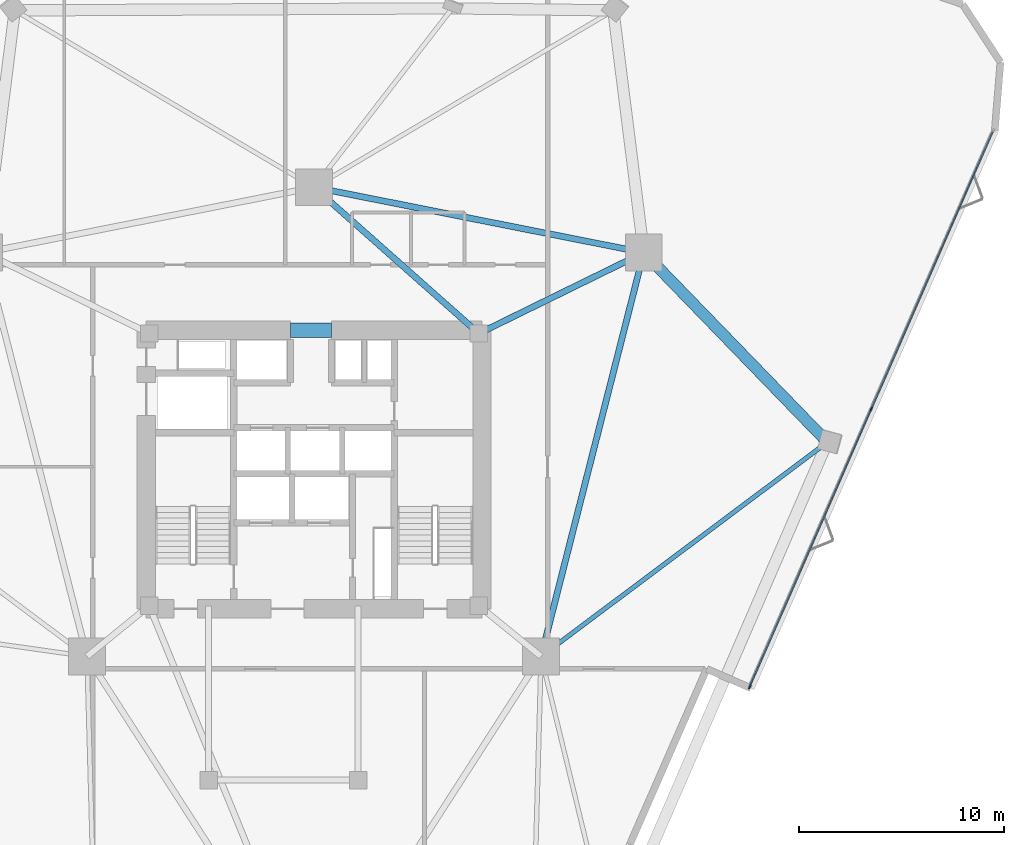
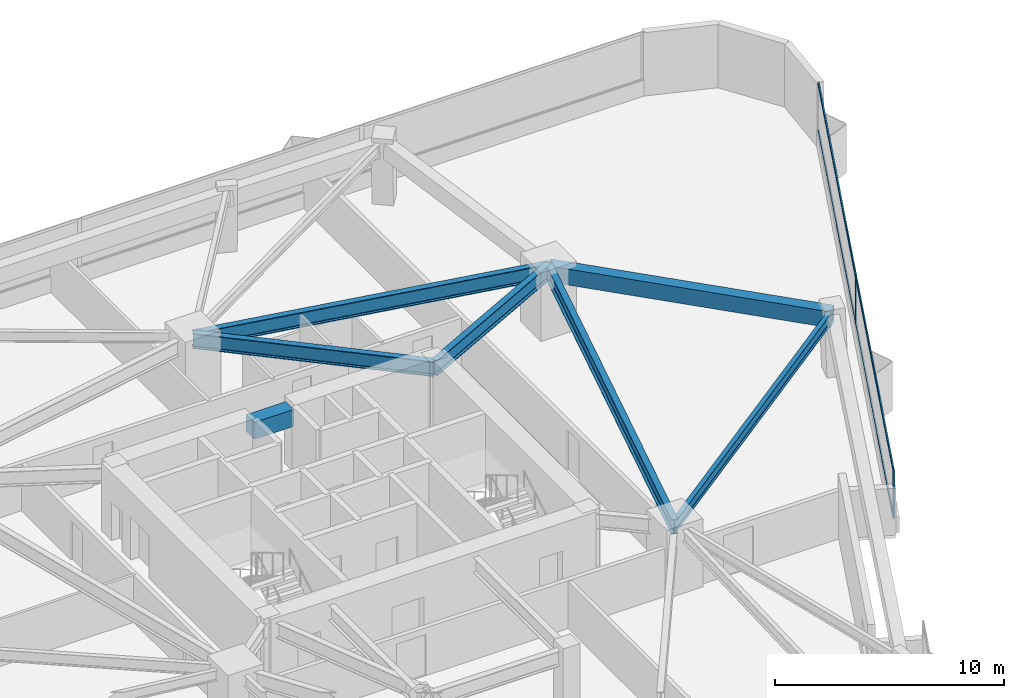
# One storey, part 6 of 14: 7 beams, 6 members, 1 element without a shape of its own.
"""IFC4 building model written with IfcOpenShell, lengths in metres."""

from ifc_helpers import new_model, si_unit, direction, frame, origin, origin_2d, place, context, subcontext, project, spatial, rectangle, i_section, extrude, material, layer, layer_set, material_profile, profile_set, type_object, element, aggregate, save


model = new_model("IFC4")

# Units and contexts
model_context = context("Model", 3, precision=1e-05, world=origin(), true_north=direction((0.0, 1.0)))
body_context = subcontext(model_context, "Body", "Model", "MODEL_VIEW")
ifc_project = project(units=[si_unit("LENGTHUNIT", "METRE"), si_unit("AREAUNIT", "SQUARE_METRE"), si_unit("VOLUMEUNIT", "CUBIC_METRE"), si_unit("PLANEANGLEUNIT", "RADIAN"), si_unit("MASSUNIT", "GRAM", prefix="KILO")], contexts=[model_context])

# Site, building, storey
site_placement = place(None, origin())
site = spatial("IfcSite", under=ifc_project, at=site_placement, CompositionType="ELEMENT")
building_placement = place(site_placement, origin())
building = spatial("IfcBuilding", under=site, at=building_placement, Name="Talyreon Biosciences Tower", CompositionType="ELEMENT")
storey_placement = place(building_placement, frame((0.0, 0.0, 52.0)))
storey = spatial("IfcBuildingStorey", under=building, at=storey_placement, Name="L13", CompositionType="ELEMENT", Elevation=52.0)

# Curtain wall, members
ifc_material_1 = material(Name="Thermally broken aluminium and low-E glazing", Category="aluminium")
ifc_layer = layer(ifc_material_1, 0.205078125)
ifc_layer_set = layer_set([ifc_layer], Name="Thermally broken aluminium and low-E glazing")
curtain_wall_type = type_object("IfcCurtainWallType", Name="CurtainWall_SkyGardenLoggia", PredefinedType="NOTDEFINED", material=ifc_layer_set)
curtain_wall_placement = place(storey_placement, origin())
curtain_wall = element("IfcCurtainWall", 1, at=curtain_wall_placement, inside=storey, type_object=curtain_wall_type, Name="L13 Unitised Curtain Wall FCW-L13-07", PredefinedType="NOTDEFINED")
ifc_material_2 = material(Name="Anodised thermally broken aluminium", Category="aluminium")
ifc_material_profile_1 = material_profile(ifc_material_2, rectangle(XDim=0.074951171875, YDim=0.2099609375, at=origin_2d()), Name="ALUM MULLION 75x210")
ifc_profile_set_1 = profile_set([ifc_material_profile_1], Name="Anodised thermally broken aluminium")
member_type_1 = type_object("IfcMemberType", Name="CWMullion_75x210", PredefinedType="MULLION", material=ifc_profile_set_1)
member_1_placement = place(storey_placement, frame((93.2138671875, 70.96240234375, 0.81005859375), z_axis=(0.0, 0.0, 1.0), x_axis=(0.91603505667, -0.401098211105, 0.0)))
member_1 = element("IfcMember", 2, at=member_1_placement, type_object=member_type_1, Name="CW7 mullion 2", PredefinedType="MULLION", context=body_context, shape_type="SweptSolid", body=[
    extrude(rectangle(XDim=0.074951171875, YDim=0.2099609375, at=origin_2d()), origin(), (0.0, 0.0, 1.0), 2.56494140625),
])
member_2_placement = place(storey_placement, frame((87.271728515625, 57.39208984375, 0.81005859375), z_axis=(0.0, 0.0, 1.0), x_axis=(0.91603505667, -0.401098211105, 0.0)))
member_2 = element("IfcMember", 3, at=member_2_placement, type_object=member_type_1, Name="CW7 mullion 3", PredefinedType="MULLION", context=body_context, shape_type="SweptSolid", body=[
    extrude(rectangle(XDim=0.074951171875, YDim=0.2099609375, at=origin_2d()), origin(), (0.0, 0.0, 1.0), 2.56494140625),
])
ifc_material_profile_2 = material_profile(ifc_material_2, rectangle(XDim=0.06494140625, YDim=0.139892578125, at=origin_2d()), Name="ALUM TRANSOM 65x140")
ifc_profile_set_2 = profile_set([ifc_material_profile_2], Name="Anodised thermally broken aluminium")
member_type_2 = type_object("IfcMemberType", Name="CWTransom_65x140", PredefinedType="USERDEFINED", material=ifc_profile_set_2)
member_3_placement = place(storey_placement, frame((99.140625, 84.498291015625, 0.842529296875), z_axis=(-0.401102089825, -0.916033358311, 0.0), x_axis=(0.916033358311, -0.401102089825, 0.0)))
member_3 = element("IfcMember", 4, at=member_3_placement, type_object=member_type_2, Name="CW7 transom 1.1", ObjectType="TRANSOM", PredefinedType="USERDEFINED", context=body_context, shape_type="SweptSolid", body=[
    extrude(rectangle(XDim=0.06494140625, YDim=0.139892578125, at=origin_2d()), origin(), (0.0, 0.0, 1.0), 14.739013671875),
])
member_4_placement = place(storey_placement, frame((99.140625, 84.498291015625, 3.342529296875), z_axis=(-0.401102089825, -0.916033358311, 0.0), x_axis=(0.916033358311, -0.401102089825, 0.0)))
member_4 = element("IfcMember", 5, at=member_4_placement, type_object=member_type_2, Name="CW7 transom 1.2", ObjectType="TRANSOM", PredefinedType="USERDEFINED", context=body_context, shape_type="SweptSolid", body=[
    extrude(rectangle(XDim=0.06494140625, YDim=0.139892578125, at=origin_2d()), origin(), (0.0, 0.0, 1.0), 14.739013671875),
])
member_5_placement = place(storey_placement, frame((93.19873046875, 70.927978515625, 0.842529296875), z_axis=(-0.401102089825, -0.916033358311, 0.0), x_axis=(0.916033358311, -0.401102089825, 0.0)))
member_5 = element("IfcMember", 6, at=member_5_placement, type_object=member_type_2, Name="CW7 transom 2.1", ObjectType="TRANSOM", PredefinedType="USERDEFINED", context=body_context, shape_type="SweptSolid", body=[
    extrude(rectangle(XDim=0.06494140625, YDim=0.139892578125, at=origin_2d()), origin(), (0.0, 0.0, 1.0), 14.739013671875),
])
member_6_placement = place(storey_placement, frame((93.19873046875, 70.927978515625, 3.342529296875), z_axis=(-0.401102089825, -0.916033358311, 0.0), x_axis=(0.916033358311, -0.401102089825, 0.0)))
member_6 = element("IfcMember", 7, at=member_6_placement, type_object=member_type_2, Name="CW7 transom 2.2", ObjectType="TRANSOM", PredefinedType="USERDEFINED", context=body_context, shape_type="SweptSolid", body=[
    extrude(rectangle(XDim=0.06494140625, YDim=0.139892578125, at=origin_2d()), origin(), (0.0, 0.0, 1.0), 14.739013671875),
])
aggregate(curtain_wall, [member_1, member_2, member_3, member_4, member_5, member_6])

# Beams
ifc_material_3 = material(Name="Concrete C60/75", Category="concrete")
ifc_material_profile_3 = material_profile(ifc_material_3, rectangle(XDim=0.699951171875, YDim=0.89990234375, at=origin_2d()), Name="RCB 700x900")
ifc_profile_set_3 = profile_set([ifc_material_profile_3], Name="Concrete C60/75")
beam_type_1 = type_object("IfcBeamType", Name="CoreCouplingLintel_700x900", PredefinedType="LINTEL", material=ifc_profile_set_3)
beam_1_placement = place(storey_placement, frame((64.85009765625, 74.800048828125, 2.925048828125), z_axis=(1.0, 0.0, 0.0), x_axis=(0.0, 1.0, 0.0)))
element("IfcBeam", 8, at=beam_1_placement, inside=storey, type_object=beam_type_1, Name="L13 Core Coupling Lintel", PredefinedType="LINTEL", context=body_context, shape_type="SweptSolid", body=[
    extrude(rectangle(XDim=0.699951171875, YDim=0.89990234375, at=origin_2d()), origin(), (0.0, 0.0, 1.0), 2.0),
])
ifc_material_4 = material(Name="Precast concrete C45/55", Category="concrete")
ifc_material_profile_4 = material_profile(ifc_material_4, rectangle(XDim=0.550048828125, YDim=0.85009765625, at=origin_2d()), Name="RCB 550x850")
ifc_profile_set_4 = profile_set([ifc_material_profile_4], Name="Precast concrete C45/55")
beam_type_2 = type_object("IfcBeamType", Name="ExpressedSpandrel_550x850", PredefinedType="SPANDREL", material=ifc_profile_set_4)
beam_2_placement = place(storey_placement, frame((91.069091796875, 69.34375, 2.949951171875), z_axis=(-0.695840417063, 0.718196431334, 0.0), x_axis=(-0.718196431334, -0.695840417063, 0.0)))
element("IfcBeam", 9, at=beam_2_placement, inside=storey, type_object=beam_type_2, Name="L13 Expressed Horizontal Concrete Spandrel 04", PredefinedType="SPANDREL", context=body_context, shape_type="SweptSolid", body=[
    extrude(rectangle(XDim=0.550048828125, YDim=0.85009765625, at=origin_2d()), origin(), (0.0, 0.0, 1.0), 12.88623046875),
])
ifc_material_5 = material(Name="Steel SM355", Category="steel")
ifc_material_profile_5 = material_profile(ifc_material_5, i_section(OverallWidth=0.300048828125, OverallDepth=0.800048828125, WebThickness=0.017578125, FlangeThickness=0.032958984375, FilletRadius=0.030029296875, at=origin_2d()), Name="HE800B")
ifc_profile_set_5 = profile_set([ifc_material_profile_5], Name="Steel SM355")
beam_type_3 = type_object("IfcBeamType", Name="SteelGirder_HE800B", PredefinedType="BEAM", material=ifc_profile_set_5)
beam_3_placement = place(storey_placement, frame((77.086181640625, 58.88037109375, 2.97509765625), z_axis=(0.246537082299, 0.969133358755, 0.0), x_axis=(-0.969133358755, 0.246537082299, 0.0)))
element("IfcBeam", 10, at=beam_3_placement, inside=storey, type_object=beam_type_3, Name="L13 Mega-Ring Girder 2", PredefinedType="BEAM", context=body_context, shape_type="SweptSolid", body=[
    extrude(i_section(OverallWidth=0.300048828125, OverallDepth=0.800048828125, WebThickness=0.017578125, FlangeThickness=0.032958984375, FilletRadius=0.030029296875, at=origin_2d()), origin(), (0.0, 0.0, 1.0), 20.34619140625),
])
beam_4_placement = place(storey_placement, frame((82.102294921875, 78.5986328125, 2.97509765625), z_axis=(-0.980933730698, 0.194342522311, 0.0), x_axis=(-0.194342522311, -0.980933730698, 0.0)))
element("IfcBeam", 11, at=beam_4_placement, inside=storey, type_object=beam_type_3, Name="L13 Mega-Ring Girder 3", PredefinedType="BEAM", context=body_context, shape_type="SweptSolid", body=[
    extrude(i_section(OverallWidth=0.300048828125, OverallDepth=0.800048828125, WebThickness=0.017578125, FlangeThickness=0.032958984375, FilletRadius=0.030029296875, at=origin_2d()), origin(), (0.0, 0.0, 1.0), 16.415283203125),
])
beam_5_placement = place(storey_placement, frame((74.050048828125, 74.64990234375, 2.97509765625), z_axis=(0.897852360314, 0.440296648952, 0.0), x_axis=(-0.440296648952, 0.897852360314, 0.0)))
element("IfcBeam", 12, at=beam_5_placement, inside=storey, type_object=beam_type_3, Name="L13 Radial Primary Girder 3", PredefinedType="BEAM", context=body_context, shape_type="SweptSolid", body=[
    extrude(i_section(OverallWidth=0.300048828125, OverallDepth=0.800048828125, WebThickness=0.017578125, FlangeThickness=0.032958984375, FilletRadius=0.030029296875, at=origin_2d()), origin(), (0.0, 0.0, 1.0), 8.96826171875),
])
beam_6_placement = place(storey_placement, frame((74.050048828125, 74.64990234375, 2.97509765625), z_axis=(-0.748178733955, 0.663497235908, 0.0), x_axis=(-0.663497235908, -0.748178733955, 0.0)))
element("IfcBeam", 13, at=beam_6_placement, inside=storey, type_object=beam_type_3, Name="L13 Radial Primary Girder 4", PredefinedType="BEAM", context=body_context, shape_type="SweptSolid", body=[
    extrude(i_section(OverallWidth=0.300048828125, OverallDepth=0.800048828125, WebThickness=0.017578125, FlangeThickness=0.032958984375, FilletRadius=0.030029296875, at=origin_2d()), origin(), (0.0, 0.0, 1.0), 10.759521484375),
])
ifc_material_profile_6 = material_profile(ifc_material_5, i_section(OverallWidth=0.219970703125, OverallDepth=0.60009765625, WebThickness=0.011962890625, FlangeThickness=0.01904296875, FilletRadius=0.02392578125, at=origin_2d()), Name="IPE600")
ifc_profile_set_6 = profile_set([ifc_material_profile_6], Name="Steel SM355")
beam_type_4 = type_object("IfcBeamType", Name="SteelJoist_IPE600", PredefinedType="JOIST", material=ifc_profile_set_6)
beam_7_placement = place(storey_placement, frame((77.086181640625, 58.88037109375, 3.074951171875), z_axis=(0.800653758381, 0.599127331367, 0.0), x_axis=(-0.599127331367, 0.800653758381, 0.0)))
element("IfcBeam", 14, at=beam_7_placement, inside=storey, type_object=beam_type_4, Name="L13 Radial Composite Floor Joist PC-SE2", PredefinedType="JOIST", context=body_context, shape_type="SweptSolid", body=[
    extrude(i_section(OverallWidth=0.219970703125, OverallDepth=0.60009765625, WebThickness=0.011962890625, FlangeThickness=0.01904296875, FilletRadius=0.02392578125, at=origin_2d()), origin(), (0.0, 0.0, 1.0), 17.46435546875),
])

save(model, "model.ifc")
